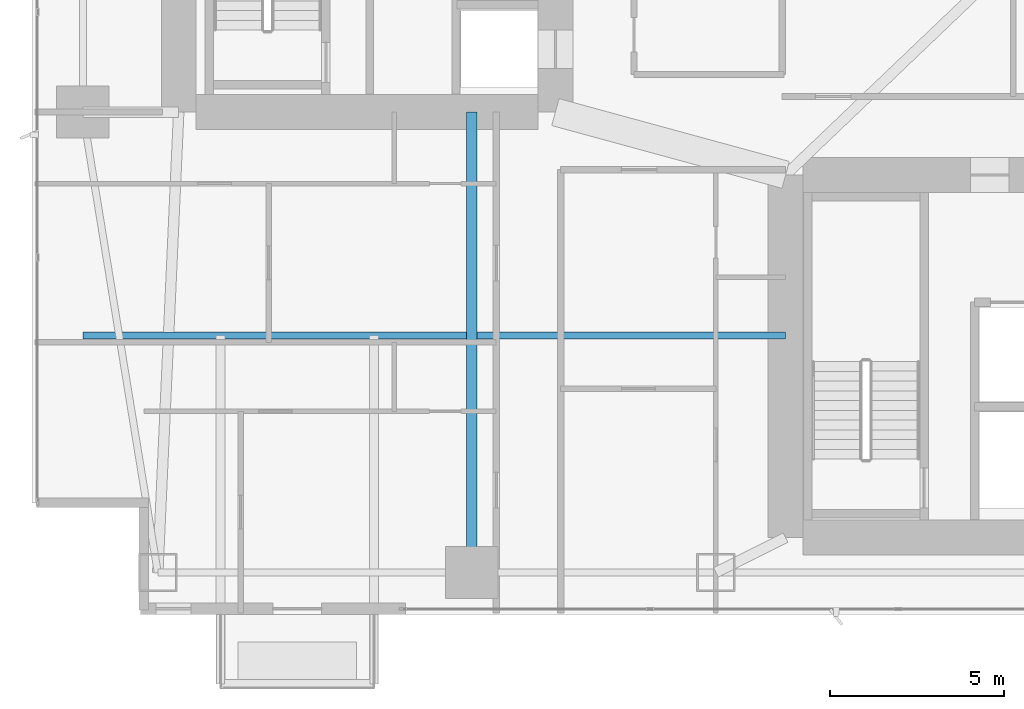
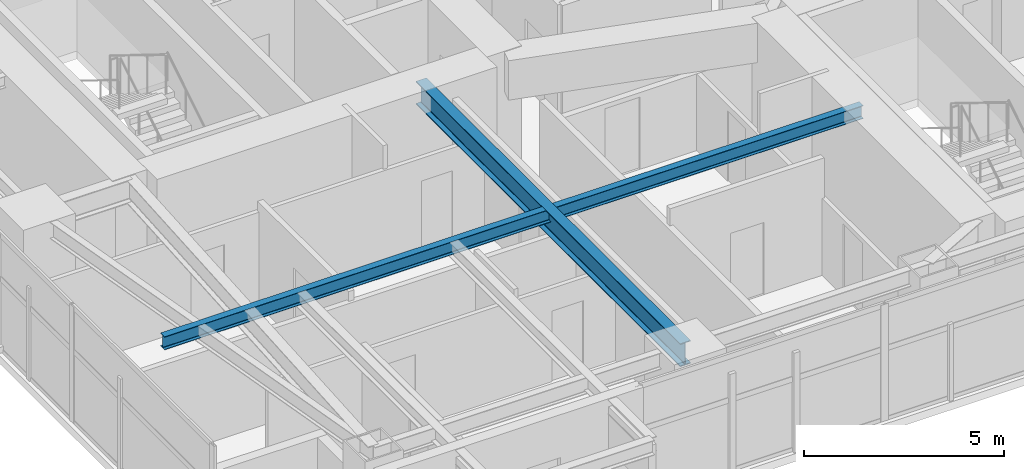
# One storey, part 5 of 30: 2 beams.
"""IFC4 building model written with IfcOpenShell, lengths in metres."""

from ifc_helpers import new_model, si_unit, direction, frame, origin, origin_2d, place, context, subcontext, project, spatial, i_section, extrude, material, material_profile, profile_set, type_object, element, save


model = new_model("IFC4")

# Units and contexts
model_context = context("Model", 3, precision=1e-05, world=origin(), true_north=direction((0.0, 1.0)))
body_context = subcontext(model_context, "Body", "Model", "MODEL_VIEW")
ifc_project = project(units=[si_unit("LENGTHUNIT", "METRE"), si_unit("AREAUNIT", "SQUARE_METRE"), si_unit("VOLUMEUNIT", "CUBIC_METRE"), si_unit("PLANEANGLEUNIT", "RADIAN"), si_unit("MASSUNIT", "GRAM", prefix="KILO")], contexts=[model_context])

# Site, building, storey
site_placement = place(None, origin())
site = spatial("IfcSite", under=ifc_project, at=site_placement, CompositionType="ELEMENT")
building_placement = place(site_placement, origin())
building = spatial("IfcBuilding", under=site, at=building_placement, Name="Calvorn Quay Hotel", CompositionType="ELEMENT")
storey_placement = place(building_placement, frame((0.0, 0.0, 73.60009765625)))
storey = spatial("IfcBuildingStorey", under=building, at=storey_placement, Name="L17", CompositionType="ELEMENT", Elevation=73.60009765625)

# Beams
ifc_material_1 = material(Name="Steel Q390GJC", Category="steel")
ifc_material_profile_1 = material_profile(ifc_material_1, i_section(OverallWidth=0.300048828125, OverallDepth=0.699951171875, WebThickness=0.012939453125, FlangeThickness=0.02392578125, FilletRadius=0.02392578125, at=origin_2d()), Name="HN700x300x13x24")
ifc_profile_set_1 = profile_set([ifc_material_profile_1], Name="Steel Q390GJC")
beam_type_1 = type_object("IfcBeamType", Name="BM-GIRD-MAIN", PredefinedType="BEAM", material=ifc_profile_set_1)
beam_1_placement = place(storey_placement, frame((12.60009765625, 3.60009765625, 3.18994140625), z_axis=(0.0, 1.0, 0.0), x_axis=(-1.0, 0.0, 0.0)))
element("IfcBeam", 1, at=beam_1_placement, inside=storey, type_object=beam_type_1, Name="Beam BG-L17-S1", PredefinedType="BEAM", context=body_context, shape_type="SweptSolid", body=[
    extrude(i_section(OverallWidth=0.300048828125, OverallDepth=0.699951171875, WebThickness=0.012939453125, FlangeThickness=0.02392578125, FilletRadius=0.02392578125, at=origin_2d()), origin(), (0.0, 0.0, 1.0), 13.199951171875),
])
ifc_material_2 = material(Name="Steel Q355B", Category="steel")
ifc_material_profile_2 = material_profile(ifc_material_2, i_section(OverallWidth=0.199951171875, OverallDepth=0.39990234375, WebThickness=0.008056640625, FlangeThickness=0.012939453125, FilletRadius=0.01611328125, at=origin_2d()), Name="HN400x200x8x13")
ifc_profile_set_2 = profile_set([ifc_material_profile_2], Name="Steel Q355B")
beam_type_2 = type_object("IfcBeamType", Name="BM-JOIST-TYP", PredefinedType="JOIST", material=ifc_profile_set_2)
beam_2_placement = place(storey_placement, frame((1.449951171875, 10.39990234375, 3.33984375), z_axis=(1.0, 0.0, 0.0), x_axis=(0.0, 1.0, 0.0)))
element("IfcBeam", 2, at=beam_2_placement, inside=storey, type_object=beam_type_2, Name="Beam BJ-L17-W1", PredefinedType="JOIST", context=body_context, shape_type="SweptSolid", body=[
    extrude(i_section(OverallWidth=0.199951171875, OverallDepth=0.39990234375, WebThickness=0.008056640625, FlangeThickness=0.012939453125, FilletRadius=0.01611328125, at=origin_2d()), origin(), (0.0, 0.0, 1.0), 20.150146484375),
])

save(model, "model.ifc")
